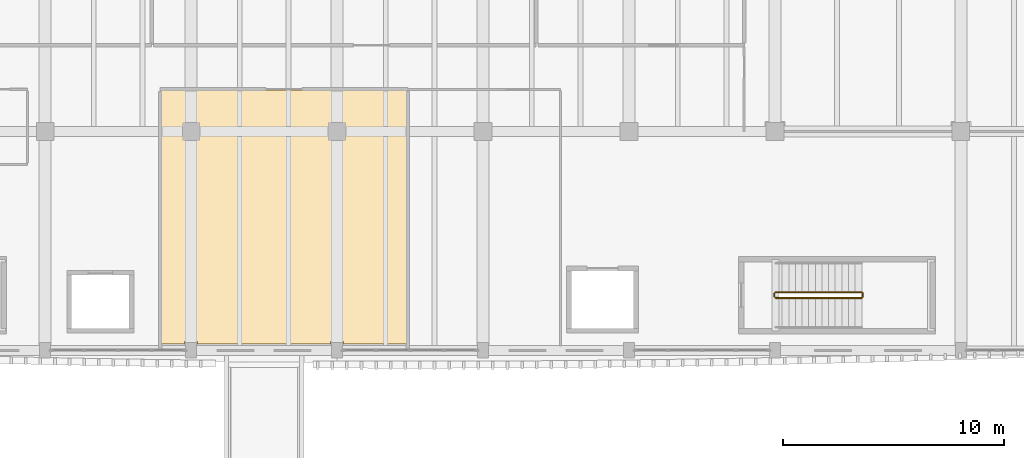
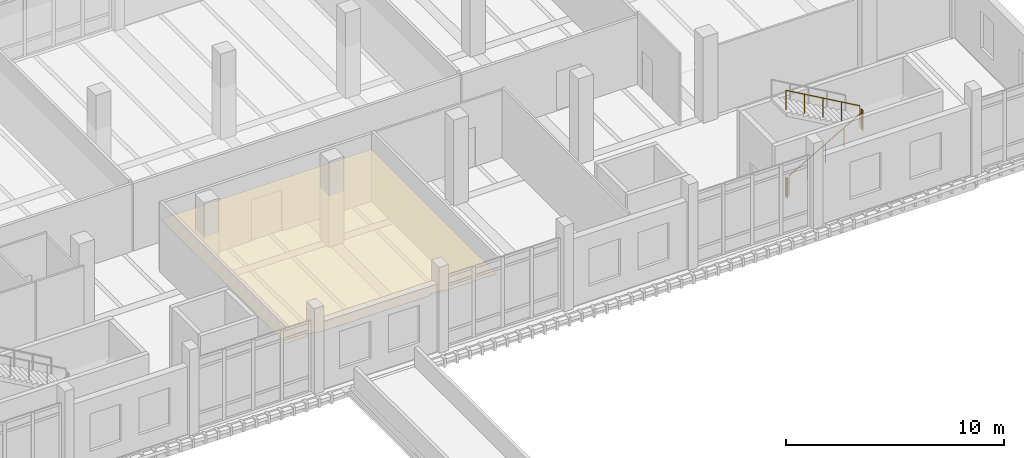
# One storey, part 93 of 101: 4 railings, 1 covering.
"""IFC4 building model written with IfcOpenShell, lengths in metres."""

from ifc_helpers import new_model, si_unit, direction, frame, origin, origin_2d, place, context, subcontext, project, spatial, polyline, circle, outline, extrude, material, layer, layer_set, type_object, element, save


model = new_model("IFC4")

# Units and contexts
model_context = context("Model", 3, precision=1e-05, world=origin(), true_north=direction((0.0, 1.0)))
body_context = subcontext(model_context, "Body", "Model", "MODEL_VIEW")
ifc_project = project(units=[si_unit("LENGTHUNIT", "METRE"), si_unit("AREAUNIT", "SQUARE_METRE"), si_unit("VOLUMEUNIT", "CUBIC_METRE"), si_unit("PLANEANGLEUNIT", "RADIAN"), si_unit("MASSUNIT", "GRAM", prefix="KILO")], contexts=[model_context])

# Site, building, storey
site_placement = place(None, origin())
site = spatial("IfcSite", under=ifc_project, at=site_placement, CompositionType="ELEMENT")
building_placement = place(site_placement, origin())
building = spatial("IfcBuilding", under=site, at=building_placement, Name="Dornvale Research Institute", CompositionType="ELEMENT")
storey_placement = place(building_placement, frame((0.0, 0.0, 10.199951171875)))
storey = spatial("IfcBuildingStorey", under=building, at=storey_placement, Name="L02", CompositionType="ELEMENT", Elevation=10.199951171875)

# Covering
ifc_material_1 = material(Name="Mineral-Fibre Acoustic Lay-In Ceiling Tile System")
ifc_layer_1 = layer(ifc_material_1, 0.02001953125)
ifc_layer_set_1 = layer_set([ifc_layer_1], Name="Mineral-Fibre Acoustic Lay-In Ceiling Tile System")
covering_type = type_object("IfcCoveringType", Name="Covering_Acoustic_Ceiling", PredefinedType="CEILING", material=ifc_layer_set_1)
covering_placement = place(storey_placement, frame((0.0, 0.0, 2.85009765625)))
element("IfcCovering", 1, at=covering_placement, inside=storey, type_object=covering_type, Name="L02 Laboratory Instrument Support Room L02 suspended ceiling", PredefinedType="CEILING", context=body_context, shape_type="SweptSolid", body=[
    extrude(outline(polyline([(138.89990234375, 92.699951171875), (138.89990234375, 92.800048828125), (138.300048828125, 92.800048828125), (138.300048828125, 92.699951171875), (137.219970703125, 92.699951171875), (137.219970703125, 104.179931640625), (148.3798828125, 104.179931640625), (148.3798828125, 92.699951171875), (145.5, 92.699951171875), (145.5, 92.800048828125), (144.89990234375, 92.800048828125), (144.89990234375, 92.699951171875), (138.89990234375, 92.699951171875)])), origin(), (0.0, 0.0, 1.0), 0.02001953125),
])

# Railings
ifc_material_2 = material(Name="Galvanized Painted Tubular Steel Stair Rail", Category="steel")
ifc_layer_2 = layer(ifc_material_2, 0.050048828125)
ifc_layer_set_2 = layer_set([ifc_layer_2], Name="Galvanized Painted Tubular Steel Stair Rail")
railing_type = type_object("IfcRailingType", Name="Railing_Stair_Guard_1100", PredefinedType="GUARDRAIL", material=ifc_layer_set_2)
railing_1_placement = place(storey_placement, frame((165.02001953125, 94.77001953125, 0.17138671875)))
element("IfcRailing", 2, at=railing_1_placement, inside=storey, type_object=railing_type, Name="L02 ST-4 stair guard 1", PredefinedType="GUARDRAIL", context=body_context, shape_type="SweptSolid", body=[
    extrude(circle(Radius=0.02392578125, at=origin_2d()), frame((0.0, 0.0, 1.076171875), z_axis=(0.868219727965, 0.0, 0.496179910892), x_axis=(0.0, 1.0, 0.0)), (0.0, 0.0, 1.0), 4.491943359375),
    extrude(circle(Radius=0.02099609375, at=origin_2d()), origin(), (0.0, 0.0, 1.0), 1.052001953125),
    extrude(circle(Radius=0.02099609375, at=origin_2d()), frame((0.97509765625, 0.0, 0.55712890625)), (0.0, 0.0, 1.0), 1.052001953125),
    extrude(circle(Radius=0.02099609375, at=origin_2d()), frame((1.949951171875, 0.0, 1.1142578125)), (0.0, 0.0, 1.0), 1.052001953125),
    extrude(circle(Radius=0.02099609375, at=origin_2d()), frame((2.9248046875, 0.0, 1.671630859375)), (0.0, 0.0, 1.0), 1.052001953125),
    extrude(circle(Radius=0.02099609375, at=origin_2d()), frame((3.89990234375, 0.0, 2.228759765625)), (0.0, 0.0, 1.0), 1.052001953125),
])
railing_2_placement = place(storey_placement, frame((168.969970703125, 94.820068359375, 2.400146484375)))
element("IfcRailing", 3, at=railing_2_placement, inside=storey, type_object=railing_type, Name="L02 ST-4 stair guard 2", PredefinedType="GUARDRAIL", context=body_context, shape_type="SweptSolid", body=[
    extrude(circle(Radius=0.02392578125, at=origin_2d()), frame((0.0, 0.0, 1.076171875), z_axis=(0.0, 1.0, 0.0), x_axis=(-1.0, 0.0, 0.0)), (0.0, 0.0, 1.0), 0.159912109375),
    extrude(circle(Radius=0.02099609375, at=origin_2d()), origin(), (0.0, 0.0, 1.0), 1.052001953125),
    extrude(circle(Radius=0.02099609375, at=origin_2d()), frame((0.0, 0.159912109375, 0.0)), (0.0, 0.0, 1.0), 1.052001953125),
])
railing_3_placement = place(storey_placement, frame((168.919921875, 95.030029296875, 2.571533203125)))
element("IfcRailing", 4, at=railing_3_placement, inside=storey, type_object=railing_type, Name="L02 ST-4 stair guard 3", PredefinedType="GUARDRAIL", context=body_context, shape_type="SweptSolid", body=[
    extrude(circle(Radius=0.02392578125, at=origin_2d()), frame((0.0, 0.0, 1.076171875), z_axis=(-0.868243142124, 0.0, 0.496138938357), x_axis=(0.0, -1.0, 0.0)), (0.0, 0.0, 1.0), 4.49169921875),
    extrude(circle(Radius=0.02099609375, at=origin_2d()), origin(), (0.0, 0.0, 1.0), 1.052001953125),
    extrude(circle(Radius=0.02099609375, at=origin_2d()), frame((-0.97509765625, 0.0, 0.55712890625)), (0.0, 0.0, 1.0), 1.052001953125),
    extrude(circle(Radius=0.02099609375, at=origin_2d()), frame((-1.949951171875, 0.0, 1.1142578125)), (0.0, 0.0, 1.0), 1.052001953125),
    extrude(circle(Radius=0.02099609375, at=origin_2d()), frame((-2.9248046875, 0.0, 1.67138671875)), (0.0, 0.0, 1.0), 1.052001953125),
    extrude(circle(Radius=0.02099609375, at=origin_2d()), frame((-3.89990234375, 0.0, 2.228515625)), (0.0, 0.0, 1.0), 1.052001953125),
])
railing_4_placement = place(storey_placement, frame((164.969970703125, 94.820068359375, 0.0)))
element("IfcRailing", 5, at=railing_4_placement, inside=storey, type_object=railing_type, Name="L02 ST-4 stair guard 4", PredefinedType="GUARDRAIL", context=body_context, shape_type="SweptSolid", body=[
    extrude(circle(Radius=0.02392578125, at=origin_2d()), frame((0.0, 0.0, 1.076171875), z_axis=(0.0, 1.0, 0.0), x_axis=(-1.0, 0.0, 0.0)), (0.0, 0.0, 1.0), 0.159912109375),
    extrude(circle(Radius=0.02099609375, at=origin_2d()), origin(), (0.0, 0.0, 1.0), 1.052001953125),
    extrude(circle(Radius=0.02099609375, at=origin_2d()), frame((0.0, 0.159912109375, 0.0)), (0.0, 0.0, 1.0), 1.052001953125),
])

save(model, "model.ifc")
